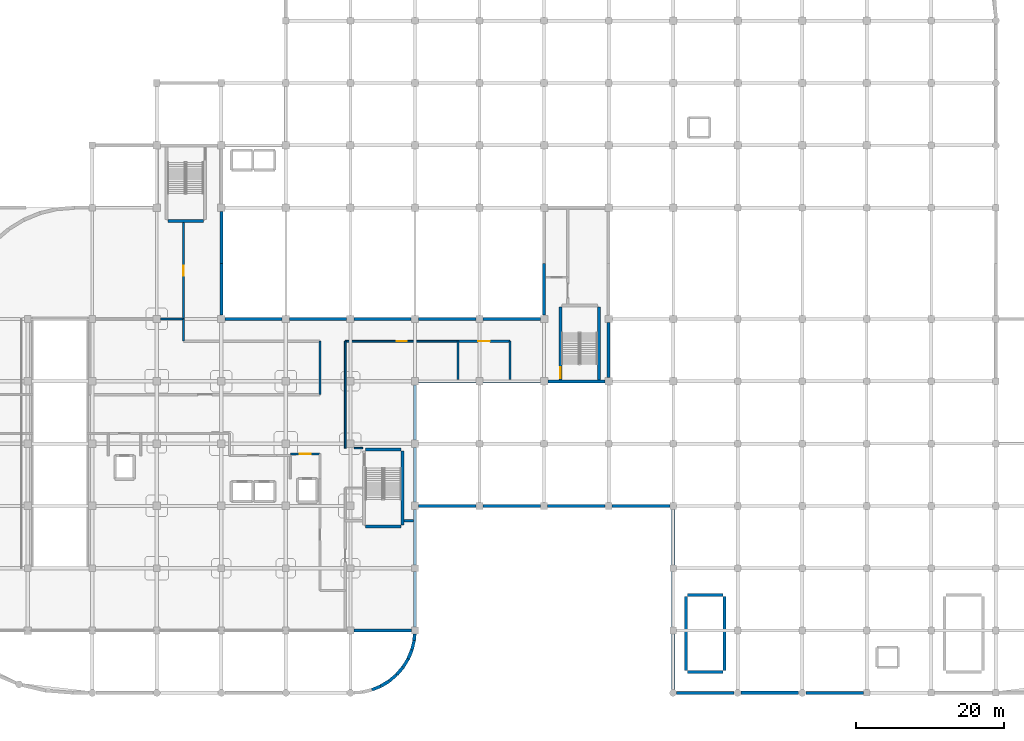
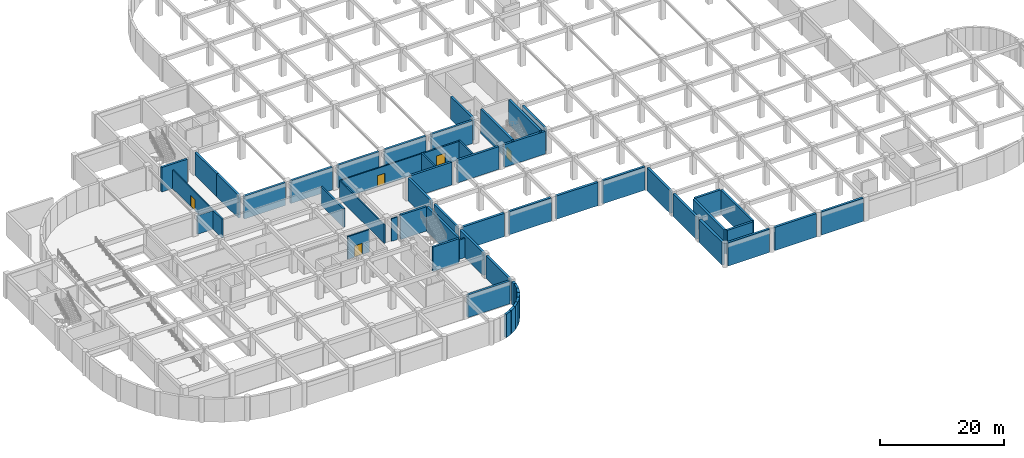
# One storey, part 12 of 19: 57 walls, 5 doors, 5 openings.
"""IFC4 building model written with IfcOpenShell, lengths in metres."""

import ifcopenshell
import ifcopenshell.guid

model = None  # the IFC model being written
_history = None  # IfcOwnerHistory: only IFC2X3 demands one
_inside = {}  # id of a spatial element -> (the spatial element, [elements in it])
_under = {}  # id of a project, library or spatial element -> (it, [spatial elements below it])
_declared = {}  # id of a project -> (the project, [libraries it declares])
_typed = {}  # id of a type object -> (the type object, [elements of that type])
_made_of = {}  # id of a material, layer set ... -> (it, [elements and type objects made of it])


def new_model(schema):
    """Start an empty IFC model of exactly this schema.

    Asked for "IFC4X3", IfcOpenShell would pick the latest addendum, in which some entities
    have other attributes; the version numbers below select the first issue.
    IFC2X3 requires an IfcOwnerHistory on every rooted entity: one is made here for all.
    """
    global model, _history
    if schema == "IFC4X3":
        model = ifcopenshell.file(schema_version=(4, 3, 0, 0))
    else:
        model = ifcopenshell.file(schema=schema)
    _inside.clear()
    _under.clear()
    _declared.clear()
    _typed.clear()
    _made_of.clear()
    _history = None
    if model.schema == "IFC2X3":
        org = make("IfcOrganization", Name="unknown")
        user = make(
            "IfcPersonAndOrganization",
            ThePerson=make("IfcPerson", FamilyName="unknown"),
            TheOrganization=org,
        )
        app = make(
            "IfcApplication",
            ApplicationDeveloper=org,
            Version="unknown",
            ApplicationFullName="unknown",
            ApplicationIdentifier="unknown",
        )
        _history = make(
            "IfcOwnerHistory",
            OwningUser=user,
            OwningApplication=app,
            ChangeAction="ADDED",
            CreationDate=0,
        )
    return model


def make(cls, **values):
    """One entity of the class cls with the attributes given. An attribute that is None is left unset."""
    return model.create_entity(
        cls, **{name: value for name, value in values.items() if value is not None}
    )


def rooted(cls, **values):
    """An entity with a GlobalId (a new one), such as an element, a storey or a relation."""
    return make(cls, GlobalId=ifcopenshell.guid.new(), OwnerHistory=_history, **values)


def si_unit(unit_type, name, prefix=None):
    """IfcSIUnit, for example si_unit("LENGTHUNIT", "METRE", prefix="MILLI")."""
    return make("IfcSIUnit", UnitType=unit_type, Prefix=prefix, Name=name)


def derived_unit(unit_type, elements):
    """IfcDerivedUnit: a product of units, each with its exponent."""
    return make(
        "IfcDerivedUnit",
        Elements=[
            make("IfcDerivedUnitElement", Unit=unit, Exponent=power)
            for unit, power in elements
        ],
        UnitType=unit_type,
    )


def assignment(units):
    """IfcUnitAssignment: the units of a project."""
    return None if units is None else make("IfcUnitAssignment", Units=units)


def point(xyz):
    """IfcCartesianPoint."""
    return None if xyz is None else make("IfcCartesianPoint", Coordinates=xyz)


def direction(xyz):
    """IfcDirection."""
    return None if xyz is None else make("IfcDirection", DirectionRatios=xyz)


def frame(location, z_axis=None, x_axis=None):
    """IfcAxis2Placement3D, a coordinate frame: its origin and axes. An axis left out is left unset."""
    return make(
        "IfcAxis2Placement3D",
        Location=point(location),
        Axis=direction(z_axis),
        RefDirection=direction(x_axis),
    )


def frame_2d(location, x_axis=None):
    """IfcAxis2Placement2D, a coordinate frame in the plane: its origin and x axis."""
    return make(
        "IfcAxis2Placement2D", Location=point(location), RefDirection=direction(x_axis)
    )


def origin():
    """The frame at (0, 0, 0) with its axes left unset."""
    return frame((0.0, 0.0, 0.0))


def place(relative_to, where):
    """IfcLocalPlacement: puts the frame where relative to a parent placement (None: the world)."""
    return make(
        "IfcLocalPlacement", PlacementRelTo=relative_to, RelativePlacement=where
    )


def context(
    kind, dimensions, precision=None, world=None, true_north=None, identifier=None
):
    """IfcGeometricRepresentationContext, for example the 3D "Model" context."""
    return make(
        "IfcGeometricRepresentationContext",
        ContextIdentifier=identifier,
        ContextType=kind,
        CoordinateSpaceDimension=dimensions,
        Precision=precision,
        WorldCoordinateSystem=world,
        TrueNorth=true_north,
    )


def subcontext(parent, identifier, kind, view, scale=None):
    """IfcGeometricRepresentationSubContext, for example "Body" below "Model"."""
    return make(
        "IfcGeometricRepresentationSubContext",
        ContextIdentifier=identifier,
        ContextType=kind,
        ParentContext=parent,
        TargetScale=scale,
        TargetView=view,
    )


def project(units=None, contexts=None):
    """IfcProject with its units and contexts."""
    return rooted(
        "IfcProject",
        Name="project",
        RepresentationContexts=contexts,
        UnitsInContext=assignment(units),
    )


def spatial(cls, under=None, at=None, **own):
    """A site, building, storey or space (cls), placed at a placement, below another one or the project."""
    s = rooted(cls, ObjectPlacement=at, **own)
    if under is not None:
        _under.setdefault(under.id(), (under, []))[1].append(s)
    return s


def profile(cls, at=None, kind="AREA", **sizes):
    """A parametric profile (cls). Its sizes go by their IFC names, for example OverallWidth=200.0."""
    return make(cls, ProfileType=kind, Position=at, **sizes)


def rectangle(**sizes):
    """IfcRectangleProfileDef."""
    return profile("IfcRectangleProfileDef", **sizes)


def extrude(swept, where, along, depth):
    """IfcExtrudedAreaSolid: the profile swept, set in the frame where, extruded along a direction by depth."""
    return make(
        "IfcExtrudedAreaSolid",
        SweptArea=swept,
        Position=where,
        ExtrudedDirection=direction(along),
        Depth=depth,
    )


def shape(context_of_items, identifier, shape_type, items):
    """IfcShapeRepresentation: the items that make up one representation, for example the "Body"."""
    return make(
        "IfcShapeRepresentation",
        ContextOfItems=context_of_items,
        RepresentationIdentifier=identifier,
        RepresentationType=shape_type,
        Items=items,
    )


def material(Name=None, Category=None):
    """IfcMaterial."""
    return make("IfcMaterial", Name=Name, Category=Category)


def layer(
    of_material, thickness, ventilated=None, Name=None, Category=None, Priority=None
):
    """IfcMaterialLayer: one layer of a wall or slab, of a material (None: an air gap)."""
    return make(
        "IfcMaterialLayer",
        Material=of_material,
        LayerThickness=thickness,
        IsVentilated=ventilated,
        Name=Name,
        Category=Category,
        Priority=Priority,
    )


def layer_set(layers, Name=None):
    """IfcMaterialLayerSet."""
    return make("IfcMaterialLayerSet", MaterialLayers=layers, LayerSetName=Name)


def made_of(thing, what):
    """Note that an element or type object is made of a material, layer set ...; save() writes the relation."""
    if what is not None:
        _made_of.setdefault(what.id(), (what, []))[1].append(thing)
    return thing


def type_object(cls, material=None, **own):
    """A type object (cls), such as IfcWallType, which elements share."""
    return made_of(rooted(cls, **own), material)


def element(
    cls,
    number,
    at=None,
    inside=None,
    cuts=None,
    type_object=None,
    material=None,
    context=None,
    identifier="Body",
    shape_type=None,
    held_by="IfcProductDefinitionShape",
    body=None,
    shapes=None,
    **own,
):
    """One element of the class cls, such as IfcWall. Its Tag is "e" and its number.

    at: its placement. inside: the storey or other place that contains it. cuts: it is an
    opening in that element (IfcRelVoidsElement). A single representation is given by context,
    identifier, shape_type and body (its items); several are given by shapes. held_by: the class
    of the entity that holds the representations. save() writes the other relations.
    """
    e = rooted(cls, Tag="e%d" % number, ObjectPlacement=at, **own)
    if body is not None:
        shapes = [shape(context, identifier, shape_type, body)]
    if shapes is not None:
        e.Representation = make(held_by, Representations=shapes)
    if inside is not None:
        _inside.setdefault(inside.id(), (inside, []))[1].append(e)
    if cuts is not None:
        rooted(
            "IfcRelVoidsElement", RelatingBuildingElement=cuts, RelatedOpeningElement=e
        )
    if type_object is not None:
        _typed.setdefault(type_object.id(), (type_object, []))[1].append(e)
    return made_of(e, material)


def fill(opening, filler):
    """IfcRelFillsElement: the door or window that sits in an opening."""
    return rooted(
        "IfcRelFillsElement",
        RelatingOpeningElement=opening,
        RelatedBuildingElement=filler,
    )


def aggregate(whole, parts):
    """IfcRelAggregates: a whole, such as a stair, and the parts it consists of."""
    return rooted("IfcRelAggregates", RelatingObject=whole, RelatedObjects=parts)


def save(model, path):
    """Write the relations noted so far, then the file.

    IfcRelAggregates (storeys below a building ...), IfcRelContainedInSpatialStructure (elements
    in a storey), IfcRelDefinesByType, IfcRelAssociatesMaterial and IfcRelDeclares: one each for
    every whole, place, type object, material and project.
    """
    for whole, parts in _under.values():
        aggregate(whole, parts)
    for where, things in _inside.values():
        rooted(
            "IfcRelContainedInSpatialStructure",
            RelatedElements=things,
            RelatingStructure=where,
        )
    for kind, things in _typed.values():
        rooted("IfcRelDefinesByType", RelatedObjects=things, RelatingType=kind)
    for what, things in _made_of.values():
        rooted("IfcRelAssociatesMaterial", RelatedObjects=things, RelatingMaterial=what)
    for by, libraries in _declared.values():
        rooted("IfcRelDeclares", RelatingContext=by, RelatedDefinitions=libraries)
    model.write(path)


model = new_model("IFC4")

# Units and contexts
model_context = context("Model", 3, precision=1e-05, world=origin(), true_north=direction((0.0, 1.0)))
body_context = subcontext(model_context, "Body", "Model", "MODEL_VIEW")
ifc_project = project(units=[si_unit("LENGTHUNIT", "METRE"), si_unit("AREAUNIT", "SQUARE_METRE"), si_unit("VOLUMEUNIT", "CUBIC_METRE"), si_unit("PLANEANGLEUNIT", "RADIAN"), si_unit("MASSUNIT", "GRAM", prefix="KILO"), derived_unit("THERMALTRANSMITTANCEUNIT", [(si_unit("MASSUNIT", "GRAM", prefix="KILO"), 1), (si_unit("TIMEUNIT", "SECOND"), -3), (si_unit("THERMODYNAMICTEMPERATUREUNIT", "KELVIN"), -1)])], contexts=[model_context])

# Site, building, storey
site_placement = place(None, origin())
site = spatial("IfcSite", under=ifc_project, at=site_placement, CompositionType="ELEMENT")
building_placement = place(site_placement, origin())
building = spatial("IfcBuilding", under=site, at=building_placement, Name="Qinzheling Arcade Emporium", CompositionType="ELEMENT")
storey_placement = place(building_placement, frame((0.0, 0.0, -4.800048828125)))
storey = spatial("IfcBuildingStorey", under=building, at=storey_placement, Name="B1", CompositionType="ELEMENT", Elevation=-4.800048828125)

# Wall, opening, door
ifc_material_1 = material(Name="Double-stud acoustic gypsum board partition")
ifc_layer_1 = layer(ifc_material_1, 0.215087890625, Name="Double-stud acoustic gypsum board partition")
ifc_layer_set_1 = layer_set([ifc_layer_1], Name="Double-stud acoustic gypsum board partition")
wall_type_1 = type_object("IfcWallType", Name="Acoustic Corridor Partition Wall 215", PredefinedType="PARTITIONING", material=ifc_layer_set_1)
wall_1_placement = place(storey_placement, frame((75.39990234375, 47.39990234375, 0.0), z_axis=(0.0, 0.0, 1.0), x_axis=(-1.0, 0.0, 0.0)))
wall_1 = element("IfcWall", 1, at=wall_1_placement, inside=storey, type_object=wall_type_1, Name="Interior Wall WL-B1-INT-0019", PredefinedType="PARTITIONING", context=body_context, shape_type="SweptSolid", body=[
    extrude(rectangle(XDim=15.199951171875, YDim=0.215087890625, at=frame_2d((7.60009765625, 0.0))), origin(), (0.0, 0.0, 1.0), 3.650146484375),
])
opening_1_placement = place(wall_1_placement, frame((6.925048828125, 0.0, 0.0)))
opening_1 = element("IfcOpeningElement", 2, at=opening_1_placement, cuts=wall_1, Name="Opening FD05", PredefinedType="OPENING", context=body_context, shape_type="SweptSolid", body=[
    extrude(rectangle(XDim=1.35009765625, YDim=2.199951171875, at=frame_2d((0.675048828125, 1.10009765625))), frame((0.0, 0.11767578125, 0.0), z_axis=(0.0, -1.0, 0.0), x_axis=(1.0, 0.0, 0.0)), (0.0, 0.0, 1.0), 0.235107421875),
])
ifc_material_2 = material(Name="Class B fire-rated stainless-clad door")
door_type_1 = type_object("IfcDoorType", Name="Kitchen Fire-Rated Service Door 1350x2200", OperationType="NOTDEFINED", PredefinedType="DOOR", material=ifc_material_2)
door_1_placement = place(opening_1_placement, origin())
door_1 = element("IfcDoor", 3, at=door_1_placement, inside=storey, type_object=door_type_1, Name="FD05 Interior Door DR-B1-INT-0009", OperationType="SINGLE_SWING_LEFT", OverallHeight=2.199951171875, OverallWidth=1.35009765625, PredefinedType="DOOR", context=body_context, shape_type="SweptSolid", body=[
    extrude(rectangle(XDim=1.35009765625, YDim=2.199951171875, at=frame_2d((0.675048828125, 1.10009765625))), frame((0.0, 0.02490234375, 0.0), z_axis=(0.0, -1.0, 0.0), x_axis=(1.0, 0.0, 0.0)), (0.0, 0.0, 1.0), 0.050048828125),
])
fill(opening_1, door_1)

# Walls
wall_2_placement = place(storey_placement, frame((60.199951171875, 47.39990234375, 0.0), z_axis=(0.0, 0.0, 1.0), x_axis=(0.0, -1.0, 0.0)))
element("IfcWall", 4, at=wall_2_placement, inside=storey, type_object=wall_type_1, Name="Interior Wall WL-B1-INT-0020", PredefinedType="PARTITIONING", context=body_context, shape_type="SweptSolid", body=[
    extrude(rectangle(XDim=14.39990234375, YDim=0.215087890625, at=frame_2d((7.199951171875, 0.0))), origin(), (0.0, 0.0, 1.0), 3.650146484375),
])
wall_3_placement = place(storey_placement, frame((61.409912109375, 33.0, 0.0), z_axis=(0.0, 0.0, 1.0), x_axis=(1.0, 0.0, 0.0)))
element("IfcWall", 5, at=wall_3_placement, inside=storey, type_object=wall_type_1, Name="Interior Wall WL-B1-INT-0021", PredefinedType="PARTITIONING", context=body_context, shape_type="SweptSolid", body=[
    extrude(rectangle(XDim=1.14013671875, YDim=0.215087890625, at=frame_2d((0.570068359375, 0.0))), origin(), (0.0, 0.0, 1.0), 4.43994140625),
])

# Wall, opening, door
wall_4_placement = place(storey_placement, frame((38.39990234375, 50.39990234375, 0.0), z_axis=(0.0, 0.0, 1.0), x_axis=(0.0, 1.0, 0.0)))
wall_4 = element("IfcWall", 6, at=wall_4_placement, inside=storey, type_object=wall_type_1, Name="Interior Wall WL-B1-INT-0028", PredefinedType="PARTITIONING", context=body_context, shape_type="SweptSolid", body=[
    extrude(rectangle(XDim=12.9951171875, YDim=0.215087890625, at=frame_2d((6.49755859375, 0.0))), origin(), (0.0, 0.0, 1.0), 3.650146484375),
])
opening_2_placement = place(wall_4_placement, frame((5.822998046875, 0.0, 0.0)))
opening_2 = element("IfcOpeningElement", 7, at=opening_2_placement, cuts=wall_4, Name="Opening FD05", PredefinedType="OPENING", context=body_context, shape_type="SweptSolid", body=[
    extrude(rectangle(XDim=1.35009765625, YDim=2.199951171875, at=frame_2d((0.675048828125, 1.10009765625))), frame((0.0, 0.11767578125, 0.0), z_axis=(0.0, -1.0, 0.0), x_axis=(1.0, 0.0, 0.0)), (0.0, 0.0, 1.0), 0.235107421875),
])
door_2_placement = place(opening_2_placement, origin())
door_2 = element("IfcDoor", 8, at=door_2_placement, inside=storey, type_object=door_type_1, Name="FD05 Interior Door DR-B1-INT-0011", OperationType="SINGLE_SWING_LEFT", OverallHeight=2.199951171875, OverallWidth=1.35009765625, PredefinedType="DOOR", context=body_context, shape_type="SweptSolid", body=[
    extrude(rectangle(XDim=1.35009765625, YDim=2.199951171875, at=frame_2d((0.675048828125, 1.10009765625))), frame((0.0, 0.02490234375, 0.0), z_axis=(0.0, -1.0, 0.0), x_axis=(1.0, 0.0, 0.0)), (0.0, 0.0, 1.0), 0.050048828125),
])
fill(opening_2, door_2)

# Walls
ifc_material_3 = material(Name="Concrete C40", Category="concrete")
ifc_layer_2 = layer(ifc_material_3, 0.419921875, Name="Concrete C40", Category="concrete")
ifc_layer_set_2 = layer_set([ifc_layer_2], Name="Concrete C40")
wall_type_2 = type_object("IfcWallType", Name="Basement Ramp Retaining Wall 420 C40", PredefinedType="USERDEFINED", material=ifc_layer_set_2)
wall_5_placement = place(storey_placement, frame((69.60009765625, 16.347900390625, 0.0), z_axis=(0.0, 0.0, 1.0), x_axis=(0.0, -1.0, 0.0)))
element("IfcWall", 9, at=wall_5_placement, inside=storey, type_object=wall_type_2, Name="Retaining Wall WL-B1-RW-168", ObjectType="RETAININGWALL", PredefinedType="USERDEFINED", context=body_context, shape_type="SweptSolid", body=[
    extrude(rectangle(XDim=7.495849609375, YDim=0.419921875, at=frame_2d((3.748046875, 0.0))), origin(), (0.0, 0.0, 1.0), 4.4599609375),
])
wall_6_placement = place(storey_placement, frame((69.4970703125, 7.0859375, 0.0), z_axis=(0.0, 0.0, 1.0), x_axis=(-0.233681085976, -0.972313298303, 0.0)))
element("IfcWall", 10, at=wall_6_placement, inside=storey, type_object=wall_type_2, Name="Retaining Wall WL-B1-RW-170", ObjectType="RETAININGWALL", PredefinedType="USERDEFINED", context=body_context, shape_type="SweptSolid", body=[
    extrude(rectangle(XDim=1.318603515625, YDim=0.419921875, at=frame_2d((0.6591796875, 0.0))), origin(), (0.0, 0.0, 1.0), 4.580078125),
])
wall_7_placement = place(storey_placement, frame((68.68408203125, 4.5859375, 0.0), z_axis=(0.0, 0.0, 1.0), x_axis=(-0.522379477954, -0.852713129378, 0.0)))
element("IfcWall", 11, at=wall_7_placement, inside=storey, type_object=wall_type_2, Name="Retaining Wall WL-B1-RW-172", ObjectType="RETAININGWALL", PredefinedType="USERDEFINED", context=body_context, shape_type="SweptSolid", body=[
    extrude(rectangle(XDim=1.317138671875, YDim=0.419921875, at=frame_2d((0.65869140625, 0.0))), origin(), (0.0, 0.0, 1.0), 4.580078125),
])
for number, where, z_axis, x_axis, name in (
    (12, (67.139892578125, 2.4599609375, 0.0), (0.0, 0.0, 1.0), (-0.760640319893, -0.649173554417, 0.0), "Retaining Wall WL-B1-RW-174"),
    (13, (65.013916015625, 0.916015625, 0.0), (0.0, 0.0, 1.0), (-0.923716547568, -0.383076676071, 0.0), "Retaining Wall WL-B1-RW-176"),
):
    element("IfcWall", number, at=place(storey_placement, frame(where, z_axis=z_axis, x_axis=x_axis)), inside=storey, type_object=wall_type_2, Name=name, ObjectType="RETAININGWALL", PredefinedType="USERDEFINED", context=body_context, shape_type="SweptSolid", body=[
        extrude(rectangle(XDim=1.318603515625, YDim=0.419921875, at=frame_2d((0.6591796875, 0.0))), origin(), (0.0, 0.0, 1.0), 4.580078125),
    ])
wall_8_placement = place(storey_placement, frame((130.048095703125, 0.0, 0.0), z_axis=(0.0, 0.0, 1.0), x_axis=(-1.0, 0.0, 0.0)))
element("IfcWall", 14, at=wall_8_placement, inside=storey, type_object=wall_type_2, Name="Retaining Wall WL-B1-RW-288", ObjectType="RETAININGWALL", PredefinedType="USERDEFINED", context=body_context, shape_type="SweptSolid", body=[
    extrude(rectangle(XDim=7.77099609375, YDim=0.419921875, at=frame_2d((3.885498046875, 0.0))), origin(), (0.0, 0.0, 1.0), 4.580078125),
])
wall_9_placement = place(storey_placement, frame((112.623046875, 0.0, 0.0), z_axis=(0.0, 0.0, 1.0), x_axis=(-1.0, 0.0, 0.0)))
element("IfcWall", 15, at=wall_9_placement, inside=storey, type_object=wall_type_2, Name="Retaining Wall WL-B1-RW-290", ObjectType="RETAININGWALL", PredefinedType="USERDEFINED", context=body_context, shape_type="SweptSolid", body=[
    extrude(rectangle(XDim=7.74609375, YDim=0.419921875, at=frame_2d((3.873046875, 0.0))), origin(), (0.0, 0.0, 1.0), 4.580078125),
])
wall_10_placement = place(storey_placement, frame((104.39990234375, 8.85205078125, 0.0), z_axis=(0.0, 0.0, 1.0), x_axis=(0.0, 1.0, 0.0)))
element("IfcWall", 16, at=wall_10_placement, inside=storey, type_object=wall_type_2, Name="Retaining Wall WL-B1-RW-292", ObjectType="RETAININGWALL", PredefinedType="USERDEFINED", context=body_context, shape_type="SweptSolid", body=[
    extrude(rectangle(XDim=7.495849609375, YDim=0.419921875, at=frame_2d((3.748046875, 0.0))), origin(), (0.0, 0.0, 1.0), 4.4599609375),
])
wall_11_placement = place(storey_placement, frame((103.947998046875, 25.199951171875, 0.0), z_axis=(0.0, 0.0, 1.0), x_axis=(-1.0, 0.0, 0.0)))
element("IfcWall", 17, at=wall_11_placement, inside=storey, type_object=wall_type_2, Name="Retaining Wall WL-B1-RW-294", ObjectType="RETAININGWALL", PredefinedType="USERDEFINED", context=body_context, shape_type="SweptSolid", body=[
    extrude(rectangle(XDim=7.7958984375, YDim=0.419921875, at=frame_2d((3.89794921875, 0.0))), origin(), (0.0, 0.0, 1.0), 4.580078125),
])
wall_12_placement = place(storey_placement, frame((86.548095703125, 25.199951171875, 0.0), z_axis=(0.0, 0.0, 1.0), x_axis=(-1.0, 0.0, 0.0)))
element("IfcWall", 18, at=wall_12_placement, inside=storey, type_object=wall_type_2, Name="Retaining Wall WL-B1-RW-296", ObjectType="RETAININGWALL", PredefinedType="USERDEFINED", context=body_context, shape_type="SweptSolid", body=[
    extrude(rectangle(XDim=7.796142578125, YDim=0.419921875, at=frame_2d((3.89794921875, 0.0))), origin(), (0.0, 0.0, 1.0), 4.580078125),
])

# Wall, opening, door
ifc_material_4 = material(Name="Fire-rated double-stud gypsum and mineral wool wall")
ifc_layer_3 = layer(ifc_material_4, 0.2451171875, Name="Fire-rated double-stud gypsum and mineral wool wall")
ifc_layer_set_3 = layer_set([ifc_layer_3], Name="Fire-rated double-stud gypsum and mineral wool wall")
wall_type_3 = type_object("IfcWallType", Name="Firefighting Lobby Rated Wall 245", PredefinedType="STANDARD", material=ifc_layer_set_3)
wall_13_placement = place(storey_placement, frame((52.800048828125, 32.199951171875, 0.0), z_axis=(0.0, 0.0, 1.0), x_axis=(1.0, 0.0, 0.0)))
wall_13 = element("IfcWall", 19, at=wall_13_placement, inside=storey, type_object=wall_type_3, Name="Interior Wall WL-B1-INT-0001", PredefinedType="STANDARD", context=body_context, shape_type="SweptSolid", body=[
    extrude(rectangle(XDim=4.0, YDim=0.2451171875, at=frame_2d((2.0, 0.0))), origin(), (0.0, 0.0, 1.0), 4.43994140625),
])
opening_3_placement = place(wall_13_placement, frame((1.27490234375, 0.0, 0.0)))
opening_3 = element("IfcOpeningElement", 20, at=opening_3_placement, cuts=wall_13, Name="Opening FD02", PredefinedType="OPENING", context=body_context, shape_type="SweptSolid", body=[
    extrude(rectangle(XDim=1.449951171875, YDim=2.199951171875, at=frame_2d((0.72509765625, 1.10009765625))), frame((0.0, 0.132568359375, 0.0), z_axis=(0.0, -1.0, 0.0), x_axis=(1.0, 0.0, 0.0)), (0.0, 0.0, 1.0), 0.26513671875),
])
ifc_material_5 = material(Name="Class A fire-rated steel double door", Category="steel")
door_type_2 = type_object("IfcDoorType", Name="Firefighting Lobby Fire Door 1450x2200", OperationType="DOUBLE_DOOR_SINGLE_SWING", PredefinedType="DOOR", material=ifc_material_5)
door_3_placement = place(opening_3_placement, origin())
door_3 = element("IfcDoor", 21, at=door_3_placement, inside=storey, type_object=door_type_2, Name="FD02 Interior Door DR-B1-INT-0001", OperationType="DOUBLE_DOOR_SINGLE_SWING", OverallHeight=2.199951171875, OverallWidth=1.449951171875, PredefinedType="DOOR", context=body_context, shape_type="SweptSolid", body=[
    extrude(rectangle(XDim=1.449951171875, YDim=2.199951171875, at=frame_2d((0.72509765625, 1.10009765625))), frame((0.0, 0.02490234375, 0.0), z_axis=(0.0, -1.0, 0.0), x_axis=(1.0, 0.0, 0.0)), (0.0, 0.0, 1.0), 0.050048828125),
])
fill(opening_3, door_3)

# Walls
ifc_layer_4 = layer(ifc_material_3, 0.409912109375, Name="Concrete C40", Category="concrete")
ifc_layer_set_4 = layer_set([ifc_layer_4], Name="Concrete C40")
wall_type_4 = type_object("IfcWallType", Name="Interior Basement Retaining Wall 410 C40", PredefinedType="USERDEFINED", material=ifc_layer_set_4)
for number, where, z_axis, x_axis, name in (
    (22, (43.5, 64.89794921875, 0.0), (0.0, 0.0, 1.0), (0.0, -1.0, 0.0), "Internal Basement Retaining Wall WL-B1-RW-308"),
    (23, (43.5, 57.89794921875, 0.0), (0.0, 0.0, 1.0), (0.0, -1.0, 0.0), "Internal Basement Retaining Wall WL-B1-RW-309"),
):
    element("IfcWall", number, at=place(storey_placement, frame(where, z_axis=z_axis, x_axis=x_axis)), inside=storey, type_object=wall_type_4, Name=name, ObjectType="RETAININGWALL", PredefinedType="USERDEFINED", context=body_context, shape_type="SweptSolid", body=[
        extrude(rectangle(XDim=6.995849609375, YDim=0.409912109375, at=frame_2d((3.498046875, 0.0))), origin(), (0.0, 0.0, 1.0), 4.4599609375),
    ])
for number, where, z_axis, x_axis, name in (
    (24, (44.001953125, 50.39990234375, 0.0), (0.0, 0.0, 1.0), (1.0, 0.0, 0.0), "Internal Basement Retaining Wall WL-B1-RW-310"),
    (25, (52.701904296875, 50.39990234375, 0.0), (0.0, 0.0, 1.0), (1.0, 0.0, 0.0), "Internal Basement Retaining Wall WL-B1-RW-311"),
):
    element("IfcWall", number, at=place(storey_placement, frame(where, z_axis=z_axis, x_axis=x_axis)), inside=storey, type_object=wall_type_4, Name=name, ObjectType="RETAININGWALL", PredefinedType="USERDEFINED", context=body_context, shape_type="SweptSolid", body=[
        extrude(rectangle(XDim=7.696044921875, YDim=0.409912109375, at=frame_2d((3.84814453125, 0.0))), origin(), (0.0, 0.0, 1.0), 4.4599609375),
    ])
wall_14_placement = place(storey_placement, frame((61.402099609375, 50.39990234375, 0.0), z_axis=(0.0, 0.0, 1.0), x_axis=(1.0, 0.0, 0.0)))
element("IfcWall", 26, at=wall_14_placement, inside=storey, type_object=wall_type_4, Name="Internal Basement Retaining Wall WL-B1-RW-312", ObjectType="RETAININGWALL", PredefinedType="USERDEFINED", context=body_context, shape_type="SweptSolid", body=[
    extrude(rectangle(XDim=7.69580078125, YDim=0.409912109375, at=frame_2d((3.847900390625, 0.0))), origin(), (0.0, 0.0, 1.0), 4.4599609375),
])
for number, where, z_axis, x_axis, name in (
    (27, (70.10205078125, 50.39990234375, 0.0), (0.0, 0.0, 1.0), (1.0, 0.0, 0.0), "Internal Basement Retaining Wall WL-B1-RW-313"),
    (28, (78.802001953125, 50.39990234375, 0.0), (0.0, 0.0, 1.0), (1.0, 0.0, 0.0), "Internal Basement Retaining Wall WL-B1-RW-314"),
):
    element("IfcWall", number, at=place(storey_placement, frame(where, z_axis=z_axis, x_axis=x_axis)), inside=storey, type_object=wall_type_4, Name=name, ObjectType="RETAININGWALL", PredefinedType="USERDEFINED", context=body_context, shape_type="SweptSolid", body=[
        extrude(rectangle(XDim=7.696044921875, YDim=0.409912109375, at=frame_2d((3.84814453125, 0.0))), origin(), (0.0, 0.0, 1.0), 4.4599609375),
    ])
wall_15_placement = place(storey_placement, frame((87.0, 50.902099609375, 0.0), z_axis=(0.0, 0.0, 1.0), x_axis=(0.0, 1.0, 0.0)))
element("IfcWall", 29, at=wall_15_placement, inside=storey, type_object=wall_type_4, Name="Internal Basement Retaining Wall WL-B1-RW-315", ObjectType="RETAININGWALL", PredefinedType="USERDEFINED", context=body_context, shape_type="SweptSolid", body=[
    extrude(rectangle(XDim=6.995849609375, YDim=0.409912109375, at=frame_2d((3.498046875, 0.0))), origin(), (0.0, 0.0, 1.0), 4.4599609375),
])
wall_16_placement = place(storey_placement, frame((95.699951171875, 49.89794921875, 0.0), z_axis=(0.0, 0.0, 1.0), x_axis=(0.0, -1.0, 0.0)))
element("IfcWall", 30, at=wall_16_placement, inside=storey, type_object=wall_type_4, Name="Internal Basement Retaining Wall WL-B1-RW-320", ObjectType="RETAININGWALL", PredefinedType="USERDEFINED", context=body_context, shape_type="SweptSolid", body=[
    extrude(rectangle(XDim=7.39599609375, YDim=0.409912109375, at=frame_2d((3.697998046875, 0.0))), origin(), (0.0, 0.0, 1.0), 4.4599609375),
])
for number, where, z_axis, x_axis, name in (
    (31, (95.197998046875, 42.0, 0.0), (0.0, 0.0, 1.0), (-1.0, 0.0, 0.0), "Internal Basement Retaining Wall WL-B1-RW-321"),
    (32, (86.498046875, 42.0, 0.0), (0.0, 0.0, 1.0), (-1.0, 0.0, 0.0), "Internal Basement Retaining Wall WL-B1-RW-322"),
    (33, (77.798095703125, 42.0, 0.0), (0.0, 0.0, 1.0), (-1.0, 0.0, 0.0), "Internal Basement Retaining Wall WL-B1-RW-323"),
):
    element("IfcWall", number, at=place(storey_placement, frame(where, z_axis=z_axis, x_axis=x_axis)), inside=storey, type_object=wall_type_4, Name=name, ObjectType="RETAININGWALL", PredefinedType="USERDEFINED", context=body_context, shape_type="SweptSolid", body=[
        extrude(rectangle(XDim=7.696044921875, YDim=0.409912109375, at=frame_2d((3.84814453125, 0.0))), origin(), (0.0, 0.0, 1.0), 4.4599609375),
    ])
for number, where, z_axis, x_axis, name in (
    (34, (69.60009765625, 41.498046875, 0.0), (0.0, 0.0, 1.0), (0.0, -1.0, 0.0), "Internal Basement Retaining Wall WL-B1-RW-324"),
    (35, (69.60009765625, 33.097900390625, 0.0), (0.0, 0.0, 1.0), (0.0, -1.0, 0.0), "Internal Basement Retaining Wall WL-B1-RW-325"),
):
    element("IfcWall", number, at=place(storey_placement, frame(where, z_axis=z_axis, x_axis=x_axis)), inside=storey, type_object=wall_type_4, Name=name, ObjectType="RETAININGWALL", PredefinedType="USERDEFINED", context=body_context, shape_type="SweptSolid", body=[
        extrude(rectangle(XDim=7.39599609375, YDim=0.409912109375, at=frame_2d((3.697998046875, 0.0))), origin(), (0.0, 0.0, 1.0), 4.4599609375),
    ])
wall_17_placement = place(storey_placement, frame((69.14794921875, 8.39990234375, 0.0), z_axis=(0.0, 0.0, 1.0), x_axis=(-1.0, 0.0, 0.0)))
element("IfcWall", 36, at=wall_17_placement, inside=storey, type_object=wall_type_4, Name="Internal Basement Retaining Wall WL-B1-RW-326", ObjectType="RETAININGWALL", PredefinedType="USERDEFINED", context=body_context, shape_type="SweptSolid", body=[
    extrude(rectangle(XDim=7.7958984375, YDim=0.409912109375, at=frame_2d((3.89794921875, 0.0))), origin(), (0.0, 0.0, 1.0), 4.4599609375),
])
ifc_material_6 = material(Name="Concrete C50", Category="concrete")
ifc_layer_5 = layer(ifc_material_6, 0.39990234375, Name="Concrete C50", Category="concrete")
ifc_layer_set_5 = layer_set([ifc_layer_5], Name="Concrete C50")
wall_type_5 = type_object("IfcWallType", Name="RC Stair Core Shear Wall 400 C50", PredefinedType="SHEAR", material=ifc_layer_set_5)
wall_18_placement = place(storey_placement, frame((67.93994140625, 32.60009765625, 0.0), z_axis=(0.0, 0.0, 1.0), x_axis=(0.0, -1.0, 0.0)))
element("IfcWall", 37, at=wall_18_placement, inside=storey, type_object=wall_type_5, Name="Stair Core Wall WL-B1-ST01-EAST", PredefinedType="SHEAR", context=body_context, shape_type="SweptSolid", body=[
    extrude(rectangle(XDim=10.0, YDim=0.39990234375, at=frame_2d((5.0, 0.0))), origin(), (0.0, 0.0, 1.0), 4.800048828125),
])
for number, where, z_axis, x_axis, name in (
    (38, (67.739990234375, 22.39990234375, 0.0), (0.0, 0.0, 1.0), (-1.0, 0.0, 0.0), "Stair Core Wall WL-B1-ST01-SOUTH"),
    (39, (62.949951171875, 32.800048828125, 0.0), (0.0, 0.0, 1.0), (1.0, 0.0, 0.0), "Stair Core Wall WL-B1-ST01-NORTH"),
    (40, (41.090087890625, 63.60009765625, 0.0), (0.0, 0.0, 1.0), (-1.0, 0.0, 0.0), "Stair Core Wall WL-B1-ST03-SOUTH"),
):
    element("IfcWall", number, at=place(storey_placement, frame(where, z_axis=z_axis, x_axis=x_axis)), inside=storey, type_object=wall_type_5, Name=name, PredefinedType="SHEAR", context=body_context, shape_type="SweptSolid", body=[
        extrude(rectangle(XDim=4.7900390625, YDim=0.39990234375, at=frame_2d((2.39501953125, 0.0))), origin(), (0.0, 0.0, 1.0), 4.800048828125),
    ])

# Wall, opening, door
wall_19_placement = place(storey_placement, frame((89.199951171875, 42.0, 0.0), z_axis=(0.0, 0.0, 1.0), x_axis=(0.0, 1.0, 0.0)))
wall_19 = element("IfcWall", 41, at=wall_19_placement, inside=storey, type_object=wall_type_5, Name="Stair Core Wall WL-B1-ST04-WEST", PredefinedType="SHEAR", context=body_context, shape_type="SweptSolid", body=[
    extrude(rectangle(XDim=10.0, YDim=0.39990234375, at=frame_2d((5.0, 0.0))), origin(), (0.0, 0.0, 1.0), 4.800048828125),
])
opening_4_placement = place(wall_19_placement, frame((0.409912109375, 0.0, 0.0)))
opening_4 = element("IfcOpeningElement", 42, at=opening_4_placement, cuts=wall_19, Name="Opening FD01", PredefinedType="OPENING", context=body_context, shape_type="SweptSolid", body=[
    extrude(rectangle(XDim=1.5, YDim=2.199951171875, at=frame_2d((0.75, 1.10009765625))), frame((0.0, 0.2099609375, 0.0), z_axis=(0.0, -1.0, 0.0), x_axis=(1.0, 0.0, 0.0)), (0.0, 0.0, 1.0), 0.419921875),
])
door_type_3 = type_object("IfcDoorType", Name="Stairwell Smoke-Proof Fire Door 1500x2200", OperationType="DOUBLE_DOOR_SINGLE_SWING", PredefinedType="DOOR", material=ifc_material_5)
door_4_placement = place(opening_4_placement, origin())
door_4 = element("IfcDoor", 43, at=door_4_placement, inside=storey, type_object=door_type_3, Name="FD01 Stairwell Fire Door DR-B1-ST04-FD", OperationType="DOUBLE_DOOR_SINGLE_SWING", OverallHeight=2.199951171875, OverallWidth=1.5, PredefinedType="DOOR", context=body_context, shape_type="SweptSolid", body=[
    extrude(rectangle(XDim=1.5, YDim=2.199951171875, at=frame_2d((0.75, 1.10009765625))), frame((0.0, 0.02490234375, 0.0), z_axis=(0.0, -1.0, 0.0), x_axis=(1.0, 0.0, 0.0)), (0.0, 0.0, 1.0), 0.050048828125),
])
fill(opening_4, door_4)

# Walls
for number, where, z_axis, x_axis, name in (
    (44, (94.389892578125, 52.0, 0.0), (0.0, 0.0, 1.0), (0.0, -1.0, 0.0), "Stair Core Wall WL-B1-ST04-EAST"),
    (45, (106.155029296875, 3.0, 0.0), (0.0, 0.0, 1.0), (0.0, 1.0, 0.0), "Stair Core Wall WL-B1-ST05-WEST"),
    (46, (111.344970703125, 13.0, 0.0), (0.0, 0.0, 1.0), (0.0, -1.0, 0.0), "Stair Core Wall WL-B1-ST05-EAST"),
):
    element("IfcWall", number, at=place(storey_placement, frame(where, z_axis=z_axis, x_axis=x_axis)), inside=storey, type_object=wall_type_5, Name=name, PredefinedType="SHEAR", context=body_context, shape_type="SweptSolid", body=[
        extrude(rectangle(XDim=10.0, YDim=0.39990234375, at=frame_2d((5.0, 0.0))), origin(), (0.0, 0.0, 1.0), 4.800048828125),
    ])
for number, where, z_axis, x_axis, name in (
    (47, (111.14501953125, 2.800048828125, 0.0), (0.0, 0.0, 1.0), (-1.0, 0.0, 0.0), "Stair Core Wall WL-B1-ST05-SOUTH"),
    (48, (106.35498046875, 13.199951171875, 0.0), (0.0, 0.0, 1.0), (1.0, 0.0, 0.0), "Stair Core Wall WL-B1-ST05-NORTH"),
):
    element("IfcWall", number, at=place(storey_placement, frame(where, z_axis=z_axis, x_axis=x_axis)), inside=storey, type_object=wall_type_5, Name=name, PredefinedType="SHEAR", context=body_context, shape_type="SweptSolid", body=[
        extrude(rectangle(XDim=4.7900390625, YDim=0.39990234375, at=frame_2d((2.39501953125, 0.0))), origin(), (0.0, 0.0, 1.0), 4.800048828125),
    ])
ifc_material_7 = material(Name="Autoclaved aerated concrete masonry with fire plaster", Category="masonry")
ifc_layer_6 = layer(ifc_material_7, 0.31005859375, Name="Autoclaved aerated concrete masonry with fire plaster", Category="masonry")
ifc_layer_set_6 = layer_set([ifc_layer_6], Name="Autoclaved aerated concrete masonry with fire plaster")
wall_type_6 = type_object("IfcWallType", Name="Retail Compartment Fire Wall 310 C40", PredefinedType="STANDARD", material=ifc_layer_set_6)
wall_20_placement = place(storey_placement, frame((56.800048828125, 40.199951171875, 0.0), z_axis=(0.0, 0.0, 1.0), x_axis=(0.0, 1.0, 0.0)))
element("IfcWall", 49, at=wall_20_placement, inside=storey, type_object=wall_type_6, Name="Interior Wall WL-B1-INT-0013", PredefinedType="STANDARD", context=body_context, shape_type="SweptSolid", body=[
    extrude(rectangle(XDim=7.199951171875, YDim=0.31005859375, at=frame_2d((3.60009765625, 0.0))), origin(), (0.0, 0.0, 1.0), 3.650146484375),
])
wall_21_placement = place(storey_placement, frame((38.39990234375, 47.39990234375, 0.0), z_axis=(0.0, 0.0, 1.0), x_axis=(0.0, 1.0, 0.0)))
element("IfcWall", 50, at=wall_21_placement, inside=storey, type_object=wall_type_6, Name="Interior Wall WL-B1-INT-0015", PredefinedType="STANDARD", context=body_context, shape_type="SweptSolid", body=[
    extrude(rectangle(XDim=3.0, YDim=0.31005859375, at=frame_2d((1.5, 0.0))), origin(), (0.0, 0.0, 1.0), 3.650146484375),
])
wall_22_placement = place(storey_placement, frame((35.31005859375, 50.39990234375, 0.0), z_axis=(0.0, 0.0, 1.0), x_axis=(1.0, 0.0, 0.0)))
element("IfcWall", 51, at=wall_22_placement, inside=storey, type_object=wall_type_6, Name="Interior Wall WL-B1-INT-0044", PredefinedType="STANDARD", context=body_context, shape_type="SweptSolid", body=[
    extrude(rectangle(XDim=3.08984375, YDim=0.31005859375, at=frame_2d((1.544921875, 0.0))), origin(), (0.0, 0.0, 1.0), 3.650146484375),
])
ifc_layer_7 = layer(ifc_material_7, 0.284912109375, Name="Autoclaved aerated concrete masonry with fire plaster", Category="masonry")
ifc_layer_set_7 = layer_set([ifc_layer_7], Name="Autoclaved aerated concrete masonry with fire plaster")
wall_type_7 = type_object("IfcWallType", Name="Stockroom and Plant Fire Wall 285", PredefinedType="STANDARD", material=ifc_layer_set_7)
wall_23_placement = place(storey_placement, frame((82.39990234375, 42.2099609375, 0.0), z_axis=(0.0, 0.0, 1.0), x_axis=(0.0, 1.0, 0.0)))
element("IfcWall", 52, at=wall_23_placement, inside=storey, type_object=wall_type_7, Name="Interior Wall WL-B1-INT-0008", PredefinedType="STANDARD", context=body_context, shape_type="SweptSolid", body=[
    extrude(rectangle(XDim=5.18994140625, YDim=0.284912109375, at=frame_2d((2.594970703125, 0.0))), origin(), (0.0, 0.0, 1.0), 3.800048828125),
])

# Wall, opening, door
wall_24_placement = place(storey_placement, frame((82.39990234375, 47.39990234375, 0.0), z_axis=(0.0, 0.0, 1.0), x_axis=(-1.0, 0.0, 0.0)))
wall_24 = element("IfcWall", 53, at=wall_24_placement, inside=storey, type_object=wall_type_7, Name="Interior Wall WL-B1-INT-0009", PredefinedType="STANDARD", context=body_context, shape_type="SweptSolid", body=[
    extrude(rectangle(XDim=7.0, YDim=0.284912109375, at=frame_2d((3.5, 0.0))), origin(), (0.0, 0.0, 1.0), 3.650146484375),
])
opening_5_placement = place(wall_24_placement, frame((2.699951171875, 0.0, 0.0)))
opening_5 = element("IfcOpeningElement", 54, at=opening_5_placement, cuts=wall_24, Name="Opening FD04", PredefinedType="OPENING", context=body_context, shape_type="SweptSolid", body=[
    extrude(rectangle(XDim=1.60009765625, YDim=2.25, at=frame_2d((0.800048828125, 1.125))), frame((0.0, 0.15234375, 0.0), z_axis=(0.0, -1.0, 0.0), x_axis=(1.0, 0.0, 0.0)), (0.0, 0.0, 1.0), 0.304931640625),
])
door_type_4 = type_object("IfcDoorType", Name="Plant Room Fire Door 1600x2250", OperationType="DOUBLE_DOOR_SINGLE_SWING", PredefinedType="DOOR", material=ifc_material_5)
door_5_placement = place(opening_5_placement, origin())
door_5 = element("IfcDoor", 55, at=door_5_placement, inside=storey, type_object=door_type_4, Name="FD04 Interior Door DR-B1-INT-0004", OperationType="DOUBLE_DOOR_SINGLE_SWING", OverallHeight=2.25, OverallWidth=1.60009765625, PredefinedType="DOOR", context=body_context, shape_type="SweptSolid", body=[
    extrude(rectangle(XDim=1.60009765625, YDim=2.25, at=frame_2d((0.800048828125, 1.125))), frame((0.0, 0.02490234375, 0.0), z_axis=(0.0, -1.0, 0.0), x_axis=(1.0, 0.0, 0.0)), (0.0, 0.0, 1.0), 0.050048828125),
])
fill(opening_5, door_5)

# Walls
wall_25_placement = place(storey_placement, frame((75.39990234375, 42.2099609375, 0.0), z_axis=(0.0, 0.0, 1.0), x_axis=(0.0, 1.0, 0.0)))
element("IfcWall", 56, at=wall_25_placement, inside=storey, type_object=wall_type_7, Name="Interior Wall WL-B1-INT-0036", PredefinedType="STANDARD", context=body_context, shape_type="SweptSolid", body=[
    extrude(rectangle(XDim=5.18994140625, YDim=0.284912109375, at=frame_2d((2.594970703125, 0.0))), origin(), (0.0, 0.0, 1.0), 3.800048828125),
])
wall_26_placement = place(storey_placement, frame((68.14501953125, 23.199951171875, 0.0), z_axis=(0.0, 0.0, 1.0), x_axis=(1.0, 0.0, 0.0)))
element("IfcWall", 57, at=wall_26_placement, inside=storey, type_object=wall_type_7, Name="Interior Wall WL-B1-INT-0038", PredefinedType="STANDARD", context=body_context, shape_type="SweptSolid", body=[
    extrude(rectangle(XDim=1.22509765625, YDim=0.284912109375, at=frame_2d((0.612548828125, 0.0))), origin(), (0.0, 0.0, 1.0), 3.800048828125),
])
ifc_layer_8 = layer(ifc_material_3, 0.449951171875, Name="Concrete C40", Category="concrete")
ifc_layer_set_8 = layer_set([ifc_layer_8], Name="Concrete C40")
wall_type_8 = type_object("IfcWallType", Name="Waterproof Basement Retaining Wall 450 C40", PredefinedType="USERDEFINED", material=ifc_layer_set_8)
wall_27_placement = place(storey_placement, frame((69.60009765625, 24.697998046875, 0.0), z_axis=(0.0, 0.0, 1.0), x_axis=(0.0, -1.0, 0.0)))
element("IfcWall", 58, at=wall_27_placement, inside=storey, type_object=wall_type_8, Name="Retaining Wall WL-B1-RW-167", ObjectType="RETAININGWALL", PredefinedType="USERDEFINED", context=body_context, shape_type="SweptSolid", body=[
    extrude(rectangle(XDim=7.446044921875, YDim=0.449951171875, at=frame_2d((3.72314453125, 0.0))), origin(), (0.0, 0.0, 1.0), 4.4599609375),
])
wall_28_placement = place(storey_placement, frame((69.56494140625, 7.948974609375, 0.0), z_axis=(0.0, 0.0, 1.0), x_axis=(-0.078400087506, -0.996921976024, 0.0)))
element("IfcWall", 59, at=wall_28_placement, inside=storey, type_object=wall_type_8, Name="Retaining Wall WL-B1-RW-169", ObjectType="RETAININGWALL", PredefinedType="USERDEFINED", context=body_context, shape_type="SweptSolid", body=[
    extrude(rectangle(XDim=0.86572265625, YDim=0.449951171875, at=frame_2d((0.432861328125, 0.0))), origin(), (0.0, 0.0, 1.0), 4.4599609375),
])
for number, where, z_axis, x_axis, name in (
    (60, (69.18896484375, 5.803955078125, 0.0), (0.0, 0.0, 1.0), (-0.382918679061, -0.923782055047, 0.0), "Retaining Wall WL-B1-RW-171"),
    (61, (67.99609375, 3.462890625, 0.0), (0.0, 0.0, 1.0), (-0.649280664237, -0.760548893266, 0.0), "Retaining Wall WL-B1-RW-173"),
):
    element("IfcWall", number, at=place(storey_placement, frame(where, z_axis=z_axis, x_axis=x_axis)), inside=storey, type_object=wall_type_8, Name=name, ObjectType="RETAININGWALL", PredefinedType="USERDEFINED", context=body_context, shape_type="SweptSolid", body=[
        extrude(rectangle(XDim=1.318603515625, YDim=0.449951171875, at=frame_2d((0.6591796875, 0.0))), origin(), (0.0, 0.0, 1.0), 4.580078125),
    ])
wall_29_placement = place(storey_placement, frame((66.136962890625, 1.60400390625, 0.0), z_axis=(0.0, 0.0, 1.0), x_axis=(-0.852713129378, -0.522379477954, 0.0)))
element("IfcWall", 62, at=wall_29_placement, inside=storey, type_object=wall_type_8, Name="Retaining Wall WL-B1-RW-175", ObjectType="RETAININGWALL", PredefinedType="USERDEFINED", context=body_context, shape_type="SweptSolid", body=[
    extrude(rectangle(XDim=1.317138671875, YDim=0.449951171875, at=frame_2d((0.65869140625, 0.0))), origin(), (0.0, 0.0, 1.0), 4.580078125),
])
wall_30_placement = place(storey_placement, frame((121.322998046875, 0.0, 0.0), z_axis=(0.0, 0.0, 1.0), x_axis=(-1.0, 0.0, 0.0)))
element("IfcWall", 63, at=wall_30_placement, inside=storey, type_object=wall_type_8, Name="Retaining Wall WL-B1-RW-289", ObjectType="RETAININGWALL", PredefinedType="USERDEFINED", context=body_context, shape_type="SweptSolid", body=[
    extrude(rectangle(XDim=7.74609375, YDim=0.449951171875, at=frame_2d((3.873046875, 0.0))), origin(), (0.0, 0.0, 1.0), 4.580078125),
])
wall_31_placement = place(storey_placement, frame((104.39990234375, 0.47705078125, 0.0), z_axis=(0.0, 0.0, 1.0), x_axis=(0.0, 1.0, 0.0)))
element("IfcWall", 64, at=wall_31_placement, inside=storey, type_object=wall_type_8, Name="Retaining Wall WL-B1-RW-291", ObjectType="RETAININGWALL", PredefinedType="USERDEFINED", context=body_context, shape_type="SweptSolid", body=[
    extrude(rectangle(XDim=7.470947265625, YDim=0.449951171875, at=frame_2d((3.7353515625, 0.0))), origin(), (0.0, 0.0, 1.0), 4.4599609375),
])
wall_32_placement = place(storey_placement, frame((104.39990234375, 17.251953125, 0.0), z_axis=(0.0, 0.0, 1.0), x_axis=(0.0, 1.0, 0.0)))
element("IfcWall", 65, at=wall_32_placement, inside=storey, type_object=wall_type_8, Name="Retaining Wall WL-B1-RW-293", ObjectType="RETAININGWALL", PredefinedType="USERDEFINED", context=body_context, shape_type="SweptSolid", body=[
    extrude(rectangle(XDim=7.49609375, YDim=0.449951171875, at=frame_2d((3.748046875, 0.0))), origin(), (0.0, 0.0, 1.0), 4.4599609375),
])
wall_33_placement = place(storey_placement, frame((95.248046875, 25.199951171875, 0.0), z_axis=(0.0, 0.0, 1.0), x_axis=(-1.0, 0.0, 0.0)))
element("IfcWall", 66, at=wall_33_placement, inside=storey, type_object=wall_type_8, Name="Retaining Wall WL-B1-RW-295", ObjectType="RETAININGWALL", PredefinedType="USERDEFINED", context=body_context, shape_type="SweptSolid", body=[
    extrude(rectangle(XDim=7.796142578125, YDim=0.449951171875, at=frame_2d((3.89794921875, 0.0))), origin(), (0.0, 0.0, 1.0), 4.580078125),
])
wall_34_placement = place(storey_placement, frame((77.847900390625, 25.199951171875, 0.0), z_axis=(0.0, 0.0, 1.0), x_axis=(-1.0, 0.0, 0.0)))
element("IfcWall", 67, at=wall_34_placement, inside=storey, type_object=wall_type_8, Name="Retaining Wall WL-B1-RW-297", ObjectType="RETAININGWALL", PredefinedType="USERDEFINED", context=body_context, shape_type="SweptSolid", body=[
    extrude(rectangle(XDim=7.745849609375, YDim=0.449951171875, at=frame_2d((3.873046875, 0.0))), origin(), (0.0, 0.0, 1.0), 4.580078125),
])

save(model, "model.ifc")
